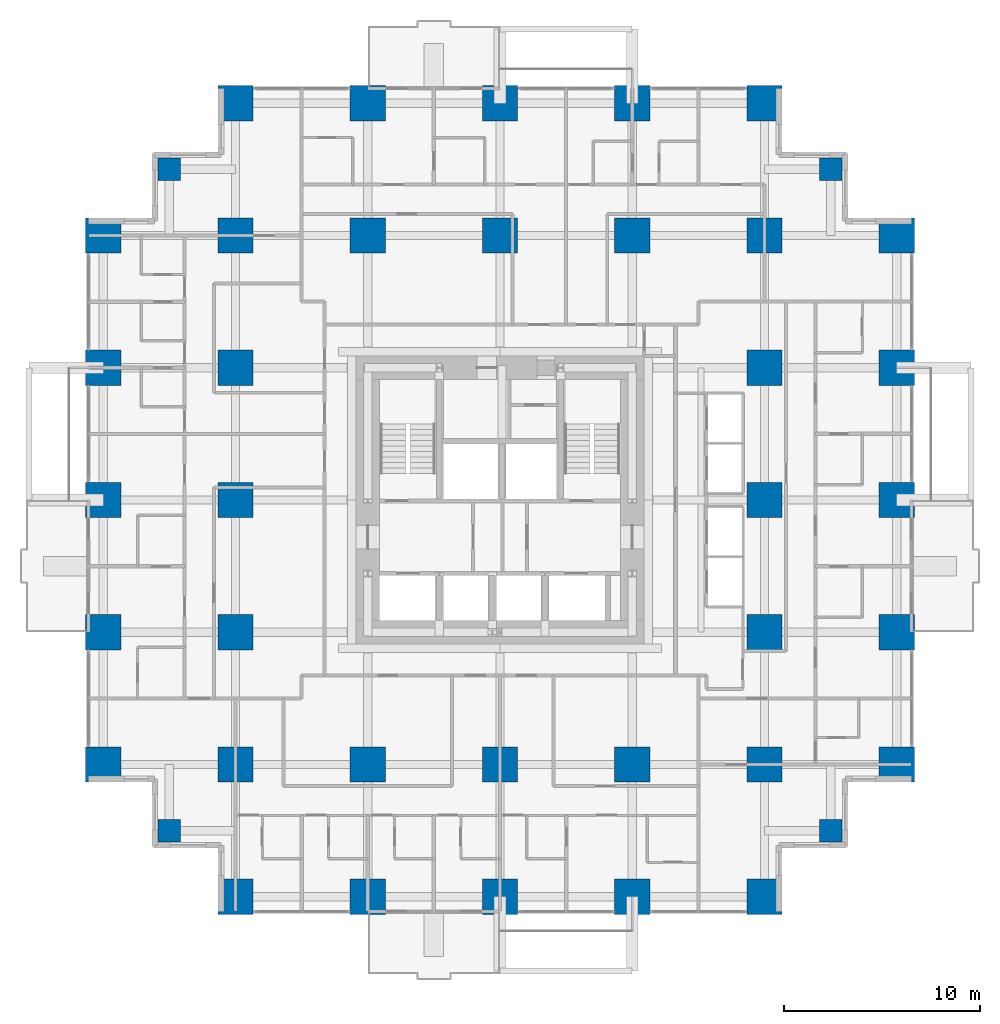
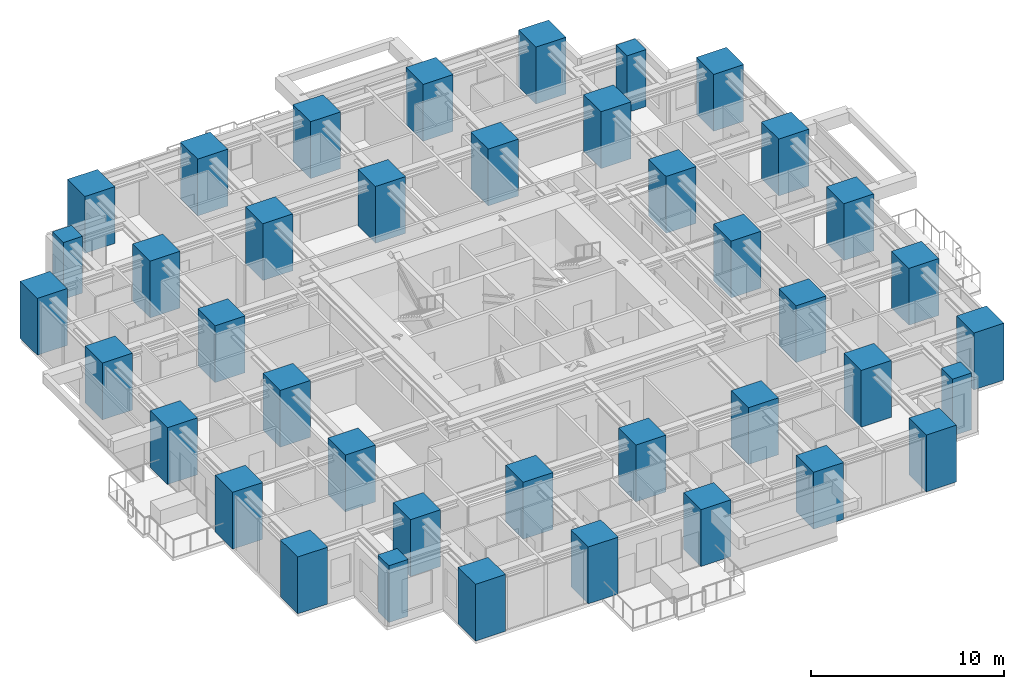
# One storey, part 1 of 14: 40 columns.
"""IFC4 building model written with IfcOpenShell, lengths in metres."""

from ifc_helpers import new_model, si_unit, direction, frame, origin, origin_2d, place, context, subcontext, project, spatial, rectangle, extrude, material, material_profile, profile_set, type_object, element, save


model = new_model("IFC4")

# Units and contexts
model_context = context("Model", 3, precision=1e-05, world=origin(), true_north=direction((0.0, 1.0)))
body_context = subcontext(model_context, "Body", "Model", "MODEL_VIEW")
ifc_project = project(units=[si_unit("LENGTHUNIT", "METRE"), si_unit("AREAUNIT", "SQUARE_METRE"), si_unit("VOLUMEUNIT", "CUBIC_METRE"), si_unit("PLANEANGLEUNIT", "RADIAN"), si_unit("MASSUNIT", "GRAM", prefix="KILO")], contexts=[model_context])

# Site, building, storey
site_placement = place(None, origin())
site = spatial("IfcSite", under=ifc_project, at=site_placement, CompositionType="ELEMENT")
building_placement = place(site_placement, origin())
building = spatial("IfcBuilding", under=site, at=building_placement, Name="Nyansa Garden Tower", CompositionType="ELEMENT")
storey_placement = place(building_placement, frame((0.0, 0.0, 68.39990234375)))
storey = spatial("IfcBuildingStorey", under=building, at=storey_placement, Name="L18", CompositionType="ELEMENT", Elevation=68.39990234375)

# Columns
ifc_material_1 = material(Name="Concrete C70/85", Category="concrete")
ifc_material_profile_1 = material_profile(ifc_material_1, rectangle(XDim=1.14990234375, YDim=1.14990234375, at=origin_2d()), Name="RC 1150x1150")
ifc_profile_set_1 = profile_set([ifc_material_profile_1], Name="Concrete C70/85")
column_type_1 = type_object("IfcColumnType", Name="Column C115 RC 1150x1150", PredefinedType="COLUMN", material=ifc_profile_set_1)
for number, where, z_axis, x_axis, name in (
    (1, (3.375, 3.375, 0.0), (0.0, 0.0, 1.0), (1.0, 0.0, 0.0), "Column x3.375/y3.375 L18"),
    (2, (3.375, 37.125, 0.0), (0.0, 0.0, 1.0), (1.0, 0.0, 0.0), "Column x3.375/y37.125 L18"),
    (3, (37.125, 3.375, 0.0), (0.0, 0.0, 1.0), (1.0, 0.0, 0.0), "Column x37.125/y3.375 L18"),
    (4, (37.125, 37.125, 0.0), (0.0, 0.0, 1.0), (1.0, 0.0, 0.0), "Column x37.125/y37.125 L18"),
):
    element("IfcColumn", number, at=place(storey_placement, frame(where, z_axis=z_axis, x_axis=x_axis)), inside=storey, type_object=column_type_1, Name=name, PredefinedType="COLUMN", context=body_context, shape_type="SweptSolid", body=[
        extrude(rectangle(XDim=1.14990234375, YDim=1.14990234375, at=origin_2d()), origin(), (0.0, 0.0, 1.0), 3.60009765625),
    ])
ifc_material_2 = material(Name="Concrete C80/95", Category="concrete")
ifc_material_profile_2 = material_profile(ifc_material_2, rectangle(XDim=1.800048828125, YDim=1.800048828125, at=origin_2d()), Name="RC 1800x1800")
ifc_profile_set_2 = profile_set([ifc_material_profile_2], Name="Concrete C80/95")
column_type_2 = type_object("IfcColumnType", Name="Column C180 RC 1800x1800", PredefinedType="COLUMN", material=ifc_profile_set_2)
for number, where, z_axis, x_axis, name in (
    (5, (0.0, 6.75, 0.0), (0.0, 0.0, 1.0), (1.0, 0.0, 0.0), "Column 2/E L18"),
    (6, (0.0, 13.5, 0.0), (0.0, 0.0, 1.0), (1.0, 0.0, 0.0), "Column 2/F L18"),
    (7, (0.0, 20.25, 0.0), (0.0, 0.0, 1.0), (1.0, 0.0, 0.0), "Column 2/G L18"),
    (8, (0.0, 27.0, 0.0), (0.0, 0.0, 1.0), (1.0, 0.0, 0.0), "Column 2/H L18"),
    (9, (0.0, 33.75, 0.0), (0.0, 0.0, 1.0), (1.0, 0.0, 0.0), "Column 2/J L18"),
    (10, (6.75, 0.0, 0.0), (0.0, 0.0, 1.0), (1.0, 0.0, 0.0), "Column 3/D L18"),
    (11, (6.75, 6.75, 0.0), (0.0, 0.0, 1.0), (1.0, 0.0, 0.0), "Column 3/E L18"),
    (12, (6.75, 13.5, 0.0), (0.0, 0.0, 1.0), (1.0, 0.0, 0.0), "Column 3/F L18"),
    (13, (6.75, 20.25, 0.0), (0.0, 0.0, 1.0), (1.0, 0.0, 0.0), "Column 3/G L18"),
    (14, (6.75, 27.0, 0.0), (0.0, 0.0, 1.0), (1.0, 0.0, 0.0), "Column 3/H L18"),
    (15, (6.75, 33.75, 0.0), (0.0, 0.0, 1.0), (1.0, 0.0, 0.0), "Column 3/J L18"),
    (16, (6.75, 40.5, 0.0), (0.0, 0.0, 1.0), (1.0, 0.0, 0.0), "Column 3/K L18"),
    (17, (13.5, 0.0, 0.0), (0.0, 0.0, 1.0), (1.0, 0.0, 0.0), "Column 4/D L18"),
    (18, (13.5, 6.75, 0.0), (0.0, 0.0, 1.0), (1.0, 0.0, 0.0), "Column 4/E L18"),
    (19, (13.5, 33.75, 0.0), (0.0, 0.0, 1.0), (1.0, 0.0, 0.0), "Column 4/J L18"),
    (20, (13.5, 40.5, 0.0), (0.0, 0.0, 1.0), (1.0, 0.0, 0.0), "Column 4/K L18"),
    (21, (20.25, 0.0, 0.0), (0.0, 0.0, 1.0), (1.0, 0.0, 0.0), "Column 5/D L18"),
    (22, (20.25, 6.75, 0.0), (0.0, 0.0, 1.0), (1.0, 0.0, 0.0), "Column 5/E L18"),
    (23, (20.25, 33.75, 0.0), (0.0, 0.0, 1.0), (1.0, 0.0, 0.0), "Column 5/J L18"),
    (24, (20.25, 40.5, 0.0), (0.0, 0.0, 1.0), (1.0, 0.0, 0.0), "Column 5/K L18"),
    (25, (27.0, 0.0, 0.0), (0.0, 0.0, 1.0), (1.0, 0.0, 0.0), "Column 6/D L18"),
    (26, (27.0, 6.75, 0.0), (0.0, 0.0, 1.0), (1.0, 0.0, 0.0), "Column 6/E L18"),
    (27, (27.0, 33.75, 0.0), (0.0, 0.0, 1.0), (1.0, 0.0, 0.0), "Column 6/J L18"),
    (28, (27.0, 40.5, 0.0), (0.0, 0.0, 1.0), (1.0, 0.0, 0.0), "Column 6/K L18"),
    (29, (33.75, 0.0, 0.0), (0.0, 0.0, 1.0), (1.0, 0.0, 0.0), "Column 7/D L18"),
    (30, (33.75, 6.75, 0.0), (0.0, 0.0, 1.0), (1.0, 0.0, 0.0), "Column 7/E L18"),
    (31, (33.75, 13.5, 0.0), (0.0, 0.0, 1.0), (1.0, 0.0, 0.0), "Column 7/F L18"),
    (32, (33.75, 20.25, 0.0), (0.0, 0.0, 1.0), (1.0, 0.0, 0.0), "Column 7/G L18"),
    (33, (33.75, 27.0, 0.0), (0.0, 0.0, 1.0), (1.0, 0.0, 0.0), "Column 7/H L18"),
    (34, (33.75, 33.75, 0.0), (0.0, 0.0, 1.0), (1.0, 0.0, 0.0), "Column 7/J L18"),
    (35, (33.75, 40.5, 0.0), (0.0, 0.0, 1.0), (1.0, 0.0, 0.0), "Column 7/K L18"),
    (36, (40.5, 6.75, 0.0), (0.0, 0.0, 1.0), (1.0, 0.0, 0.0), "Column 8/E L18"),
    (37, (40.5, 13.5, 0.0), (0.0, 0.0, 1.0), (1.0, 0.0, 0.0), "Column 8/F L18"),
    (38, (40.5, 20.25, 0.0), (0.0, 0.0, 1.0), (1.0, 0.0, 0.0), "Column 8/G L18"),
    (39, (40.5, 27.0, 0.0), (0.0, 0.0, 1.0), (1.0, 0.0, 0.0), "Column 8/H L18"),
    (40, (40.5, 33.75, 0.0), (0.0, 0.0, 1.0), (1.0, 0.0, 0.0), "Column 8/J L18"),
):
    element("IfcColumn", number, at=place(storey_placement, frame(where, z_axis=z_axis, x_axis=x_axis)), inside=storey, type_object=column_type_2, Name=name, PredefinedType="COLUMN", context=body_context, shape_type="SweptSolid", body=[
        extrude(rectangle(XDim=1.800048828125, YDim=1.800048828125, at=origin_2d()), origin(), (0.0, 0.0, 1.0), 3.60009765625),
    ])

save(model, "model.ifc")
